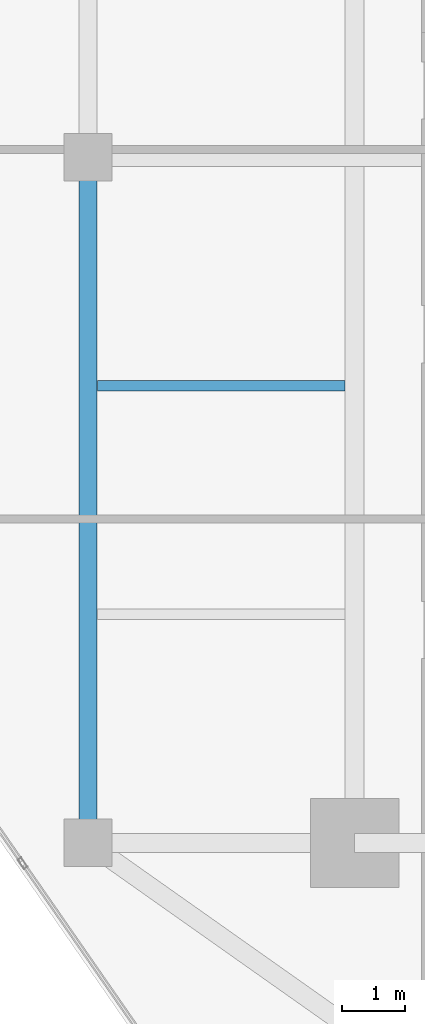
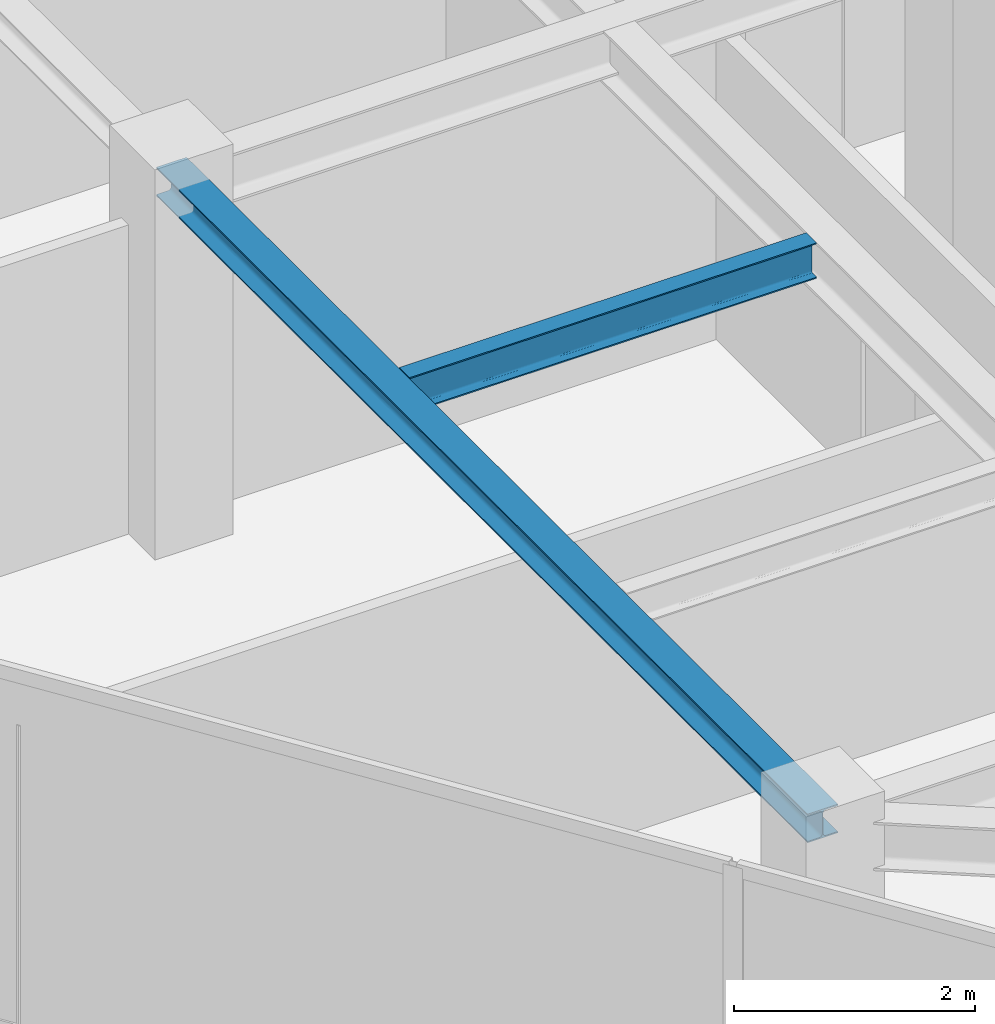
# One storey, part 5 of 21: 2 beams.
"""IFC4 building model written with IfcOpenShell, lengths in metres."""

from ifc_helpers import new_model, si_unit, direction, frame, origin, origin_2d, place, context, subcontext, project, spatial, i_section, extrude, source, transform, mapped, material, material_profile, profile_set, type_object, type_shapes, element, save


model = new_model("IFC4")

# Units and contexts
model_context = context("Model", 3, precision=1e-05, world=origin(), true_north=direction((0.0, 1.0)))
body_context = subcontext(model_context, "Body", "Model", "MODEL_VIEW")
ifc_project = project(units=[si_unit("LENGTHUNIT", "METRE"), si_unit("AREAUNIT", "SQUARE_METRE"), si_unit("VOLUMEUNIT", "CUBIC_METRE"), si_unit("PLANEANGLEUNIT", "RADIAN"), si_unit("MASSUNIT", "GRAM", prefix="KILO")], contexts=[model_context])

# Site, building, storey
site_placement = place(None, origin())
site = spatial("IfcSite", under=ifc_project, at=site_placement, CompositionType="ELEMENT")
building_placement = place(site_placement, origin())
building = spatial("IfcBuilding", under=site, at=building_placement, Name="Krantzveldt Concourse Tower", CompositionType="ELEMENT")
storey_placement = place(building_placement, frame((0.0, 0.0, 279.25)))
storey = spatial("IfcBuildingStorey", under=building, at=storey_placement, Name="L68", CompositionType="ELEMENT", Elevation=279.25)

# Beams
ifc_material = material(Name="Steel S355JR", Category="steel")
ifc_material_profile_1 = material_profile(ifc_material, i_section(OverallWidth=0.2900390625, OverallDepth=0.2900390625, WebThickness=0.008544921875, FlangeThickness=0.013916015625, FilletRadius=0.027099609375, at=origin_2d()), Name="Steel S355JR", Category="steel")
ifc_profile_set_1 = profile_set([ifc_material_profile_1], Name="Steel S355JR - HEA 300")
beam_type_1 = type_object("IfcBeamType", Name="BM-SP-HEA300", PredefinedType="SPANDREL", material=ifc_profile_set_1)
shared_shape_1 = source(origin(), body_context, "Body", "SweptSolid", [
    extrude(i_section(OverallWidth=0.2900390625, OverallDepth=0.2900390625, WebThickness=0.008544921875, FlangeThickness=0.013916015625, FilletRadius=0.027099609375, at=origin_2d()), origin(), (0.0, 0.0, 1.0), 10.800048828125),
])
type_shapes(beam_type_1, [shared_shape_1])
beam_1_placement = place(storey_placement, frame((21.0, 15.89990234375, 3.52490234375), z_axis=(0.0, 1.0, 0.0), x_axis=(-1.0, 0.0, 0.0)))
element("IfcBeam", 1, at=beam_1_placement, inside=storey, type_object=beam_type_1, Name="L68 Tower Girder SP-R01", PredefinedType="SPANDREL", context=body_context, shape_type="MappedRepresentation", body=[
    mapped(shared_shape_1, transform((0.0, 0.0, 0.0), x_axis=(1.0, 0.0, 0.0), y_axis=(0.0, 1.0, 0.0), z_axis=(0.0, 0.0, 1.0), scale=1.0)),
])
ifc_material_profile_2 = material_profile(ifc_material, i_section(OverallWidth=0.169921875, OverallDepth=0.360107421875, WebThickness=0.008056640625, FlangeThickness=0.0126953125, FilletRadius=0.01806640625, at=origin_2d()), Name="Steel S355JR", Category="steel")
ifc_profile_set_2 = profile_set([ifc_material_profile_2], Name="Steel S355JR - IPE 360")
beam_type_2 = type_object("IfcBeamType", Name="BM-J-IPE360", PredefinedType="JOIST", material=ifc_profile_set_2)
shared_shape_2 = source(origin(), body_context, "Body", "SweptSolid", [
    extrude(i_section(OverallWidth=0.169921875, OverallDepth=0.360107421875, WebThickness=0.008056640625, FlangeThickness=0.0126953125, FilletRadius=0.01806640625, at=origin_2d()), origin(), (0.0, 0.0, 1.0), 3.900146484375),
])
type_shapes(beam_type_2, [shared_shape_2])
beam_2_placement = place(storey_placement, frame((21.14990234375, 23.10009765625, 3.489990234375), z_axis=(1.0, 0.0, 0.0), x_axis=(0.0, 1.0, 0.0)))
element("IfcBeam", 2, at=beam_2_placement, inside=storey, type_object=beam_type_2, Name="L68 Secondary Floor Joist JW-2", PredefinedType="JOIST", context=body_context, shape_type="MappedRepresentation", body=[
    mapped(shared_shape_2, transform((0.0, 0.0, 0.0), x_axis=(1.0, 0.0, 0.0), y_axis=(0.0, 1.0, 0.0), z_axis=(0.0, 0.0, 1.0), scale=1.0)),
])

save(model, "model.ifc")
